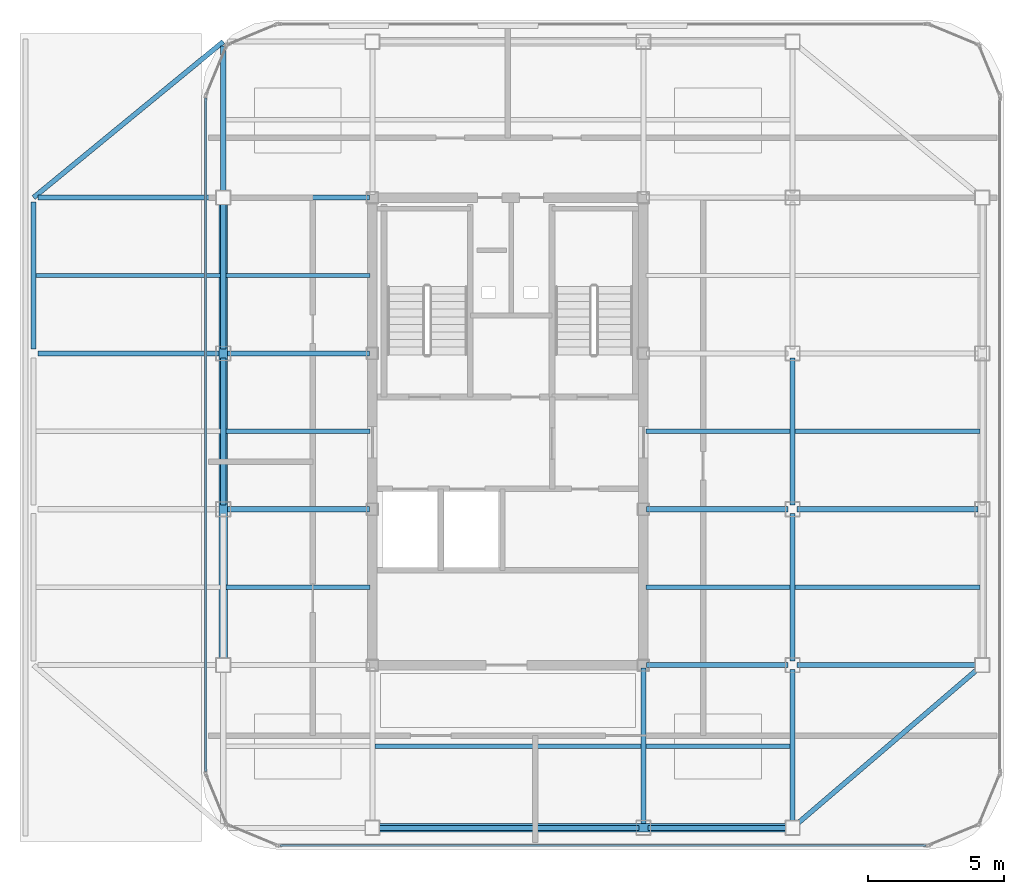
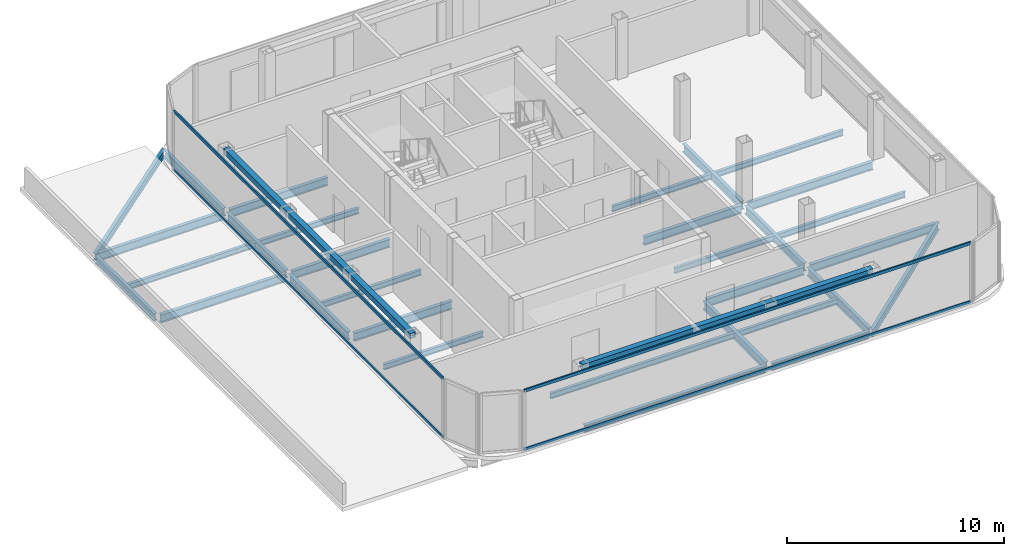
# One storey, part 3 of 11: 31 beams, 6 members, 2 elements without a shape of their own.
"""IFC4 building model written with IfcOpenShell, lengths in metres."""

from ifc_helpers import new_model, si_unit, direction, frame, origin, origin_2d, place, context, subcontext, project, spatial, hollow_rectangle, i_section, extrude, source, transform, mapped, material, layer, layer_set, material_profile, profile_set, type_object, element, aggregate, save


model = new_model("IFC4")

# Units and contexts
model_context = context("Model", 3, precision=1e-05, world=origin(), true_north=direction((0.0, 1.0)))
body_context = subcontext(model_context, "Body", "Model", "MODEL_VIEW")
ifc_project = project(units=[si_unit("LENGTHUNIT", "METRE"), si_unit("AREAUNIT", "SQUARE_METRE"), si_unit("VOLUMEUNIT", "CUBIC_METRE"), si_unit("PLANEANGLEUNIT", "RADIAN"), si_unit("MASSUNIT", "GRAM", prefix="KILO")], contexts=[model_context])

# Site, building, storey
site_placement = place(None, origin())
site = spatial("IfcSite", under=ifc_project, at=site_placement, CompositionType="ELEMENT")
building_placement = place(site_placement, origin())
building = spatial("IfcBuilding", under=site, at=building_placement, Name="Kolveth Station Tower", CompositionType="ELEMENT")
storey_placement = place(building_placement, frame((0.0, 0.0, 278.5)))
storey = spatial("IfcBuildingStorey", under=building, at=storey_placement, Name="L80", CompositionType="ELEMENT", Elevation=278.5)

# Beams
ifc_material_1 = material(Name="Steel S355", Category="steel")
ifc_material_profile_1 = material_profile(ifc_material_1, i_section(OverallWidth=0.180908203125, OverallDepth=0.4169921875, WebThickness=0.010986328125, FlangeThickness=0.018310546875, at=origin_2d()), Name="W410x85")
ifc_profile_set_1 = profile_set([ifc_material_profile_1], Name="Steel S355")
beam_type_1 = type_object("IfcBeamType", Name="Beam_B8", PredefinedType="BEAM", material=ifc_profile_set_1)
shared_shape_1 = source(origin(), body_context, "Body", "SweptSolid", [
    extrude(i_section(OverallWidth=0.180908203125, OverallDepth=0.4169921875, WebThickness=0.010986328125, FlangeThickness=0.018310546875, at=origin_2d()), origin(), (0.0, 0.0, 1.0), 5.18017578125),
])
beam_1_placement = place(storey_placement, frame((28.659912109375, 5.5, -0.428466796875), z_axis=(1.0, 0.0, 0.0), x_axis=(0.0, 1.0, 0.0)))
element("IfcBeam", 1, at=beam_1_placement, inside=storey, type_object=beam_type_1, Name="L80 Perimeter Spandrel BM-L80-PS-3", PredefinedType="BEAM", context=body_context, shape_type="MappedRepresentation", body=[
    mapped(shared_shape_1, transform((0.0, 0.0, 0.0), x_axis=(1.0, 0.0, 0.0), y_axis=(0.0, 1.0, 0.0), z_axis=(0.0, 0.0, 1.0), scale=1.0)),
])
shared_shape_2 = source(origin(), body_context, "Body", "SweptSolid", [
    extrude(i_section(OverallWidth=0.180908203125, OverallDepth=0.4169921875, WebThickness=0.010986328125, FlangeThickness=0.018310546875, at=origin_2d()), origin(), (0.0, 0.0, 1.0), 9.68017578125),
])
beam_2_placement = place(storey_placement, frame((18.659912109375, 5.5, -0.428466796875), z_axis=(1.0, 0.0, 0.0), x_axis=(0.0, 1.0, 0.0)))
element("IfcBeam", 2, at=beam_2_placement, inside=storey, type_object=beam_type_1, Name="L80 Perimeter Spandrel BM-L80-PS-2", PredefinedType="BEAM", context=body_context, shape_type="MappedRepresentation", body=[
    mapped(shared_shape_2, transform((0.0, 0.0, 0.0), x_axis=(1.0, 0.0, 0.0), y_axis=(0.0, 1.0, 0.0), z_axis=(0.0, 0.0, 1.0), scale=1.0)),
])
shared_shape_3 = source(origin(), body_context, "Body", "SweptSolid", [
    extrude(i_section(OverallWidth=0.180908203125, OverallDepth=0.4169921875, WebThickness=0.010986328125, FlangeThickness=0.018310546875, at=origin_2d()), origin(), (0.0, 0.0, 1.0), 5.43017578125),
])
beam_3_placement = place(storey_placement, frame((6.0, 23.159912109375, -0.428466796875), z_axis=(0.0, 1.0, 0.0), x_axis=(-1.0, 0.0, 0.0)))
element("IfcBeam", 3, at=beam_3_placement, inside=storey, type_object=beam_type_1, Name="L80 Perimeter Spandrel BM-L80-PW-3", PredefinedType="BEAM", context=body_context, shape_type="MappedRepresentation", body=[
    mapped(shared_shape_3, transform((0.0, 0.0, 0.0), x_axis=(1.0, 0.0, 0.0), y_axis=(0.0, 1.0, 0.0), z_axis=(0.0, 0.0, 1.0), scale=1.0)),
])
shared_shape_4 = source(origin(), body_context, "Body", "SweptSolid", [
    extrude(i_section(OverallWidth=0.180908203125, OverallDepth=0.4169921875, WebThickness=0.010986328125, FlangeThickness=0.018310546875, at=origin_2d()), origin(), (0.0, 0.0, 1.0), 9.219482421875),
])
beam_4_placement = place(storey_placement, frame((34.0, 5.5, -0.428466796875), z_axis=(0.759256602365, 0.650791373456, 0.0), x_axis=(-0.650791373456, 0.759256602365, 0.0)))
element("IfcBeam", 4, at=beam_4_placement, inside=storey, type_object=beam_type_1, Name="L80 Corner Edge Girder BM-L80-CNR-SE", PredefinedType="BEAM", context=body_context, shape_type="MappedRepresentation", body=[
    mapped(shared_shape_4, transform((0.0, 0.0, 0.0), x_axis=(1.0, 0.0, 0.0), y_axis=(0.0, 1.0, 0.0), z_axis=(0.0, 0.0, 1.0), scale=1.0)),
])
shared_shape_5 = source(origin(), body_context, "Body", "SweptSolid", [
    extrude(i_section(OverallWidth=0.180908203125, OverallDepth=0.4169921875, WebThickness=0.010986328125, FlangeThickness=0.018310546875, at=origin_2d()), origin(), (0.0, 0.0, 1.0), 9.058837890625),
])
beam_5_placement = place(storey_placement, frame((13.0, 34.5, -0.428466796875), z_axis=(-0.772726254525, -0.63473942336, 0.0), x_axis=(0.63473942336, -0.772726254525, 0.0)))
element("IfcBeam", 5, at=beam_5_placement, inside=storey, type_object=beam_type_1, Name="L80 Corner Edge Girder BM-L80-CNR-NW", PredefinedType="BEAM", context=body_context, shape_type="MappedRepresentation", body=[
    mapped(shared_shape_5, transform((0.0, 0.0, 0.0), x_axis=(1.0, 0.0, 0.0), y_axis=(0.0, 1.0, 0.0), z_axis=(0.0, 0.0, 1.0), scale=1.0)),
])
ifc_material_profile_2 = material_profile(ifc_material_1, i_section(OverallWidth=0.19091796875, OverallDepth=0.4599609375, WebThickness=0.010009765625, FlangeThickness=0.01611328125, at=origin_2d()), Name="W460x82")
ifc_profile_set_2 = profile_set([ifc_material_profile_2], Name="Steel S355")
beam_type_2 = type_object("IfcBeamType", Name="Beam_B7", PredefinedType="BEAM", material=ifc_profile_set_2)
shared_shape_6 = source(origin(), body_context, "Body", "SweptSolid", [
    extrude(i_section(OverallWidth=0.19091796875, OverallDepth=0.4599609375, WebThickness=0.010009765625, FlangeThickness=0.01611328125, at=origin_2d()), origin(), (0.0, 0.0, 1.0), 6.68017578125),
])
for number, where, z_axis, x_axis, name in (
    (6, (34.159912109375, 11.5, -0.449951171875), (1.0, 0.0, 0.0), (0.0, 1.0, 0.0), "L80 Primary Girder BM-L80-GY115-5"),
    (7, (34.159912109375, 17.25, -0.449951171875), (1.0, 0.0, 0.0), (0.0, 1.0, 0.0), "L80 Primary Girder BM-L80-GY172-5"),
    (8, (6.159912109375, 23.0, -0.449951171875), (1.0, 0.0, 0.0), (0.0, 1.0, 0.0), "L80 Primary Girder BM-L80-GY230-1"),
    (9, (6.159912109375, 28.75, -0.449951171875), (1.0, 0.0, 0.0), (0.0, 1.0, 0.0), "L80 Primary Girder BM-L80-GY287-1"),
):
    element("IfcBeam", number, at=place(storey_placement, frame(where, z_axis=z_axis, x_axis=x_axis)), inside=storey, type_object=beam_type_2, Name=name, PredefinedType="BEAM", context=body_context, shape_type="MappedRepresentation", body=[
        mapped(shared_shape_6, transform((0.0, 0.0, 0.0), x_axis=(1.0, 0.0, 0.0), y_axis=(0.0, 1.0, 0.0), z_axis=(0.0, 0.0, 1.0), scale=1.0)),
    ])
shared_shape_7 = source(origin(), body_context, "Body", "SweptSolid", [
    extrude(i_section(OverallWidth=0.19091796875, OverallDepth=0.4599609375, WebThickness=0.010009765625, FlangeThickness=0.01611328125, at=origin_2d()), origin(), (0.0, 0.0, 1.0), 5.22998046875),
])
for number, where, z_axis, x_axis, name in (
    (10, (28.610107421875, 11.5, -0.449951171875), (1.0, 0.0, 0.0), (0.0, 1.0, 0.0), "L80 Primary Girder BM-L80-GY115-4"),
    (11, (13.159912109375, 17.25, -0.449951171875), (1.0, 0.0, 0.0), (0.0, 1.0, 0.0), "L80 Primary Girder BM-L80-GY172-2"),
    (12, (28.610107421875, 17.25, -0.449951171875), (1.0, 0.0, 0.0), (0.0, 1.0, 0.0), "L80 Primary Girder BM-L80-GY172-4"),
    (13, (13.159912109375, 23.0, -0.449951171875), (1.0, 0.0, 0.0), (0.0, 1.0, 0.0), "L80 Primary Girder BM-L80-GY230-2"),
    (14, (13.159912109375, 28.75, -0.449951171875), (1.0, 0.0, 0.0), (0.0, 1.0, 0.0), "L80 Primary Girder BM-L80-GY287-2"),
):
    element("IfcBeam", number, at=place(storey_placement, frame(where, z_axis=z_axis, x_axis=x_axis)), inside=storey, type_object=beam_type_2, Name=name, PredefinedType="BEAM", context=body_context, shape_type="MappedRepresentation", body=[
        mapped(shared_shape_7, transform((0.0, 0.0, 0.0), x_axis=(1.0, 0.0, 0.0), y_axis=(0.0, 1.0, 0.0), z_axis=(0.0, 0.0, 1.0), scale=1.0)),
    ])
shared_shape_8 = source(origin(), body_context, "Body", "SweptSolid", [
    extrude(i_section(OverallWidth=0.19091796875, OverallDepth=0.4599609375, WebThickness=0.010009765625, FlangeThickness=0.01611328125, at=origin_2d()), origin(), (0.0, 0.0, 1.0), 5.68017578125),
])
beam_6_placement = place(storey_placement, frame((34.0, 5.659912109375, -0.449951171875), z_axis=(0.0, 1.0, 0.0), x_axis=(-1.0, 0.0, 0.0)))
element("IfcBeam", 15, at=beam_6_placement, inside=storey, type_object=beam_type_2, Name="L80 Primary Girder BM-L80-GX340-1", PredefinedType="BEAM", context=body_context, shape_type="MappedRepresentation", body=[
    mapped(shared_shape_8, transform((0.0, 0.0, 0.0), x_axis=(1.0, 0.0, 0.0), y_axis=(0.0, 1.0, 0.0), z_axis=(0.0, 0.0, 1.0), scale=1.0)),
])
shared_shape_9 = source(origin(), body_context, "Body", "SweptSolid", [
    extrude(i_section(OverallWidth=0.19091796875, OverallDepth=0.4599609375, WebThickness=0.010009765625, FlangeThickness=0.01611328125, at=origin_2d()), origin(), (0.0, 0.0, 1.0), 5.43017578125),
])
for number, where, z_axis, x_axis, name in (
    (16, (13.0, 17.409912109375, -0.449951171875), (0.0, 1.0, 0.0), (-1.0, 0.0, 0.0), "L80 Primary Girder BM-L80-GX130-3"),
    (17, (13.0, 23.159912109375, -0.449951171875), (0.0, 1.0, 0.0), (-1.0, 0.0, 0.0), "L80 Primary Girder BM-L80-GX130-4"),
    (18, (13.0, 28.909912109375, -0.449951171875), (0.0, 1.0, 0.0), (-1.0, 0.0, 0.0), "L80 Primary Girder BM-L80-GX130-5"),
    (19, (34.0, 11.659912109375, -0.449951171875), (0.0, 1.0, 0.0), (-1.0, 0.0, 0.0), "L80 Primary Girder BM-L80-GX340-2"),
    (20, (34.0, 17.409912109375, -0.449951171875), (0.0, 1.0, 0.0), (-1.0, 0.0, 0.0), "L80 Primary Girder BM-L80-GX340-3"),
):
    element("IfcBeam", number, at=place(storey_placement, frame(where, z_axis=z_axis, x_axis=x_axis)), inside=storey, type_object=beam_type_2, Name=name, PredefinedType="BEAM", context=body_context, shape_type="MappedRepresentation", body=[
        mapped(shared_shape_9, transform((0.0, 0.0, 0.0), x_axis=(1.0, 0.0, 0.0), y_axis=(0.0, 1.0, 0.0), z_axis=(0.0, 0.0, 1.0), scale=1.0)),
    ])
shared_shape_10 = source(origin(), body_context, "Body", "SweptSolid", [
    extrude(i_section(OverallWidth=0.19091796875, OverallDepth=0.4599609375, WebThickness=0.010009765625, FlangeThickness=0.01611328125, at=origin_2d()), origin(), (0.0, 0.0, 1.0), 5.72998046875),
])
beam_7_placement = place(storey_placement, frame((28.5, 5.659912109375, -0.449951171875), z_axis=(0.0, 1.0, 0.0), x_axis=(-1.0, 0.0, 0.0)))
element("IfcBeam", 21, at=beam_7_placement, inside=storey, type_object=beam_type_2, Name="L80 Primary Girder BM-L80-GX285-1", PredefinedType="BEAM", context=body_context, shape_type="MappedRepresentation", body=[
    mapped(shared_shape_10, transform((0.0, 0.0, 0.0), x_axis=(1.0, 0.0, 0.0), y_axis=(0.0, 1.0, 0.0), z_axis=(0.0, 0.0, 1.0), scale=1.0)),
])
ifc_material_profile_3 = material_profile(ifc_material_1, i_section(OverallWidth=0.1650390625, OverallDepth=0.31005859375, WebThickness=0.005859375, FlangeThickness=0.009765625, at=origin_2d()), Name="W310x39")
ifc_profile_set_3 = profile_set([ifc_material_profile_3], Name="Steel S355")
beam_type_3 = type_object("IfcBeamType", Name="Beam_J3", PredefinedType="JOIST", material=ifc_profile_set_3)
shared_shape_11 = source(origin(), body_context, "Body", "SweptSolid", [
    extrude(i_section(OverallWidth=0.1650390625, OverallDepth=0.31005859375, WebThickness=0.005859375, FlangeThickness=0.009765625, at=origin_2d()), origin(), (0.0, 0.0, 1.0), 6.818115234375),
])
for number, where, z_axis, x_axis, name in (
    (22, (6.08837890625, 25.875, -0.375), (1.0, 0.0, 0.0), (0.0, 1.0, 0.0), "L80 Secondary Joist JST-L80-1-4"),
    (23, (34.093505859375, 14.375, -0.375), (1.0, 0.0, 0.0), (0.0, 1.0, 0.0), "L80 Secondary Joist JST-L80-5-2"),
    (24, (34.093505859375, 20.125, -0.375), (1.0, 0.0, 0.0), (0.0, 1.0, 0.0), "L80 Secondary Joist JST-L80-5-3"),
):
    element("IfcBeam", number, at=place(storey_placement, frame(where, z_axis=z_axis, x_axis=x_axis)), inside=storey, type_object=beam_type_3, Name=name, PredefinedType="JOIST", context=body_context, shape_type="MappedRepresentation", body=[
        mapped(shared_shape_11, transform((0.0, 0.0, 0.0), x_axis=(1.0, 0.0, 0.0), y_axis=(0.0, 1.0, 0.0), z_axis=(0.0, 0.0, 1.0), scale=1.0)),
    ])
shared_shape_12 = source(origin(), body_context, "Body", "SweptSolid", [
    extrude(i_section(OverallWidth=0.1650390625, OverallDepth=0.31005859375, WebThickness=0.005859375, FlangeThickness=0.009765625, at=origin_2d()), origin(), (0.0, 0.0, 1.0), 5.31298828125),
])
for number, where, z_axis, x_axis, name in (
    (25, (13.093505859375, 14.375, -0.375), (1.0, 0.0, 0.0), (0.0, 1.0, 0.0), "L80 Secondary Joist JST-L80-2-2"),
    (26, (13.093505859375, 20.125, -0.375), (1.0, 0.0, 0.0), (0.0, 1.0, 0.0), "L80 Secondary Joist JST-L80-2-3"),
    (27, (13.093505859375, 25.875, -0.375), (1.0, 0.0, 0.0), (0.0, 1.0, 0.0), "L80 Secondary Joist JST-L80-2-4"),
    (28, (28.593505859375, 8.5, -0.375), (1.0, 0.0, 0.0), (0.0, 1.0, 0.0), "L80 Secondary Joist JST-L80-4-1"),
    (29, (28.593505859375, 14.375, -0.375), (1.0, 0.0, 0.0), (0.0, 1.0, 0.0), "L80 Secondary Joist JST-L80-4-2"),
    (30, (28.593505859375, 20.125, -0.375), (1.0, 0.0, 0.0), (0.0, 1.0, 0.0), "L80 Secondary Joist JST-L80-4-3"),
):
    element("IfcBeam", number, at=place(storey_placement, frame(where, z_axis=z_axis, x_axis=x_axis)), inside=storey, type_object=beam_type_3, Name=name, PredefinedType="JOIST", context=body_context, shape_type="MappedRepresentation", body=[
        mapped(shared_shape_12, transform((0.0, 0.0, 0.0), x_axis=(1.0, 0.0, 0.0), y_axis=(0.0, 1.0, 0.0), z_axis=(0.0, 0.0, 1.0), scale=1.0)),
    ])
shared_shape_13 = source(origin(), body_context, "Body", "SweptSolid", [
    extrude(i_section(OverallWidth=0.1650390625, OverallDepth=0.31005859375, WebThickness=0.005859375, FlangeThickness=0.009765625, at=origin_2d()), origin(), (0.0, 0.0, 1.0), 9.81298828125),
])
beam_8_placement = place(storey_placement, frame((18.593505859375, 8.5, -0.375), z_axis=(1.0, 0.0, 0.0), x_axis=(0.0, 1.0, 0.0)))
element("IfcBeam", 31, at=beam_8_placement, inside=storey, type_object=beam_type_3, Name="L80 Secondary Joist JST-L80-3-1", PredefinedType="JOIST", context=body_context, shape_type="MappedRepresentation", body=[
    mapped(shared_shape_13, transform((0.0, 0.0, 0.0), x_axis=(1.0, 0.0, 0.0), y_axis=(0.0, 1.0, 0.0), z_axis=(0.0, 0.0, 1.0), scale=1.0)),
])

# Members
ifc_material_profile_4 = material_profile(ifc_material_1, hollow_rectangle(XDim=0.300048828125, YDim=0.300048828125, WallThickness=0.01611328125, at=origin_2d()), Name="CROWN-HSS300x300x16")
ifc_profile_set_4 = profile_set([ifc_material_profile_4], Name="Steel S355")
member_type_1 = type_object("IfcMemberType", Name="Mem_CF1", PredefinedType="CHORD", material=ifc_profile_set_4)
shared_shape_14 = source(origin(), body_context, "Body", "SweptSolid", [
    extrude(hollow_rectangle(XDim=0.300048828125, YDim=0.300048828125, WallThickness=0.01611328125, at=origin_2d()), origin(), (0.0, 0.0, 1.0), 17.25),
])
member_1_placement = place(storey_placement, frame((13.0, 11.5, 3.14990234375), z_axis=(0.0, 1.0, 0.0), x_axis=(-1.0, 0.0, 0.0)))
element("IfcMember", 32, at=member_1_placement, inside=storey, type_object=member_type_1, Name="L80 Crown Frame Ring Chord 3", PredefinedType="CHORD", context=body_context, shape_type="MappedRepresentation", body=[
    mapped(shared_shape_14, transform((0.0, 0.0, 0.0), x_axis=(1.0, 0.0, 0.0), y_axis=(0.0, 1.0, 0.0), z_axis=(0.0, 0.0, 1.0), scale=1.0)),
])
shared_shape_15 = source(origin(), body_context, "Body", "SweptSolid", [
    extrude(hollow_rectangle(XDim=0.300048828125, YDim=0.300048828125, WallThickness=0.01611328125, at=origin_2d()), origin(), (0.0, 0.0, 1.0), 15.5),
])
member_2_placement = place(storey_placement, frame((18.5, 5.5, 3.14990234375), z_axis=(1.0, 0.0, 0.0), x_axis=(0.0, 1.0, 0.0)))
element("IfcMember", 33, at=member_2_placement, inside=storey, type_object=member_type_1, Name="L80 Crown Frame Ring Chord 1", PredefinedType="CHORD", context=body_context, shape_type="MappedRepresentation", body=[
    mapped(shared_shape_15, transform((0.0, 0.0, 0.0), x_axis=(1.0, 0.0, 0.0), y_axis=(0.0, 1.0, 0.0), z_axis=(0.0, 0.0, 1.0), scale=1.0)),
])

# Curtain wall, members
ifc_material_2 = material(Name="Black anodized aluminium 6063-T6 and dark crown glass", Category="aluminium")
ifc_layer = layer(ifc_material_2, 0.169921875)
ifc_layer_set = layer_set([ifc_layer], Name="Black anodized aluminium 6063-T6 and dark crown glass")
curtain_wall_type = type_object("IfcCurtainWallType", Name="CurtainWall_CW-CR", PredefinedType="NOTDEFINED", material=ifc_layer_set)
curtain_wall_1_placement = place(storey_placement, origin())
curtain_wall_1 = element("IfcCurtainWall", 34, at=curtain_wall_1_placement, inside=storey, type_object=curtain_wall_type, Name="L80 Stepped Crown Curtain Wall 9", PredefinedType="NOTDEFINED")
ifc_material_3 = material(Name="Black anodized aluminium 6063-T6", Category="aluminium")
ifc_material_profile_5 = material_profile(ifc_material_3, hollow_rectangle(XDim=0.080078125, YDim=0.1650390625, WallThickness=0.0048828125, at=origin_2d()), Name="ALU-80x165x5")
ifc_profile_set_5 = profile_set([ifc_material_profile_5], Name="Black anodized aluminium 6063-T6")
member_type_2 = type_object("IfcMemberType", Name="Transom_TR-CR", PredefinedType="USERDEFINED", material=ifc_profile_set_5)
shared_shape_16 = source(origin(), body_context, "Body", "SweptSolid", [
    extrude(hollow_rectangle(XDim=0.080078125, YDim=0.1650390625, WallThickness=0.0048828125, at=origin_2d()), origin(), (0.0, 0.0, 1.0), 24.830078125),
])
member_3_placement = place(storey_placement, frame((12.35009765625, 32.4150390625, 0.0400390625), z_axis=(0.0, -1.0, 0.0), x_axis=(1.0, 0.0, 0.0)))
member_3 = element("IfcMember", 35, at=member_3_placement, type_object=member_type_2, Name="CW-CR transom 1.1", ObjectType="TRANSOM", PredefinedType="USERDEFINED", context=body_context, shape_type="MappedRepresentation", body=[
    mapped(shared_shape_16, transform((0.0, 0.0, 0.0), x_axis=(1.0, 0.0, 0.0), y_axis=(0.0, 1.0, 0.0), z_axis=(0.0, 0.0, 1.0), scale=1.0)),
])
member_4_placement = place(storey_placement, frame((12.35009765625, 32.4150390625, 3.340087890625), z_axis=(0.0, -1.0, 0.0), x_axis=(1.0, 0.0, 0.0)))
member_4 = element("IfcMember", 36, at=member_4_placement, type_object=member_type_2, Name="CW-CR transom 1.2", ObjectType="TRANSOM", PredefinedType="USERDEFINED", context=body_context, shape_type="MappedRepresentation", body=[
    mapped(shared_shape_16, transform((0.0, 0.0, 0.0), x_axis=(1.0, 0.0, 0.0), y_axis=(0.0, 1.0, 0.0), z_axis=(0.0, 0.0, 1.0), scale=1.0)),
])
aggregate(curtain_wall_1, [member_3, member_4])

curtain_wall_2_placement = place(storey_placement, origin())
curtain_wall_2 = element("IfcCurtainWall", 37, at=curtain_wall_2_placement, inside=storey, type_object=curtain_wall_type, Name="L80 Stepped Crown Curtain Wall 12", PredefinedType="NOTDEFINED")
shared_shape_17 = source(origin(), body_context, "Body", "SweptSolid", [
    extrude(hollow_rectangle(XDim=0.080078125, YDim=0.1650390625, WallThickness=0.0048828125, at=origin_2d()), origin(), (0.0, 0.0, 1.0), 23.830078125),
])
member_5_placement = place(storey_placement, frame((15.0849609375, 4.85009765625, 0.0400390625), z_axis=(1.0, 0.0, 0.0), x_axis=(0.0, 1.0, 0.0)))
member_5 = element("IfcMember", 38, at=member_5_placement, type_object=member_type_2, Name="CW-CR transom 1.1", ObjectType="TRANSOM", PredefinedType="USERDEFINED", context=body_context, shape_type="MappedRepresentation", body=[
    mapped(shared_shape_17, transform((0.0, 0.0, 0.0), x_axis=(1.0, 0.0, 0.0), y_axis=(0.0, 1.0, 0.0), z_axis=(0.0, 0.0, 1.0), scale=1.0)),
])
member_6_placement = place(storey_placement, frame((15.0849609375, 4.85009765625, 3.340087890625), z_axis=(1.0, 0.0, 0.0), x_axis=(0.0, 1.0, 0.0)))
member_6 = element("IfcMember", 39, at=member_6_placement, type_object=member_type_2, Name="CW-CR transom 1.2", ObjectType="TRANSOM", PredefinedType="USERDEFINED", context=body_context, shape_type="MappedRepresentation", body=[
    mapped(shared_shape_17, transform((0.0, 0.0, 0.0), x_axis=(1.0, 0.0, 0.0), y_axis=(0.0, 1.0, 0.0), z_axis=(0.0, 0.0, 1.0), scale=1.0)),
])
aggregate(curtain_wall_2, [member_5, member_6])

save(model, "model.ifc")
